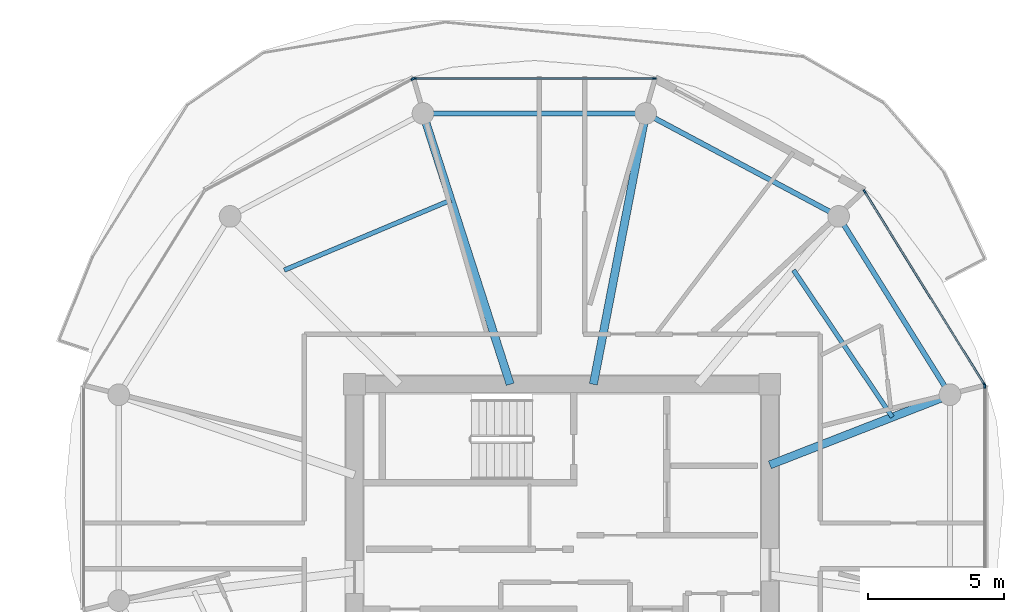
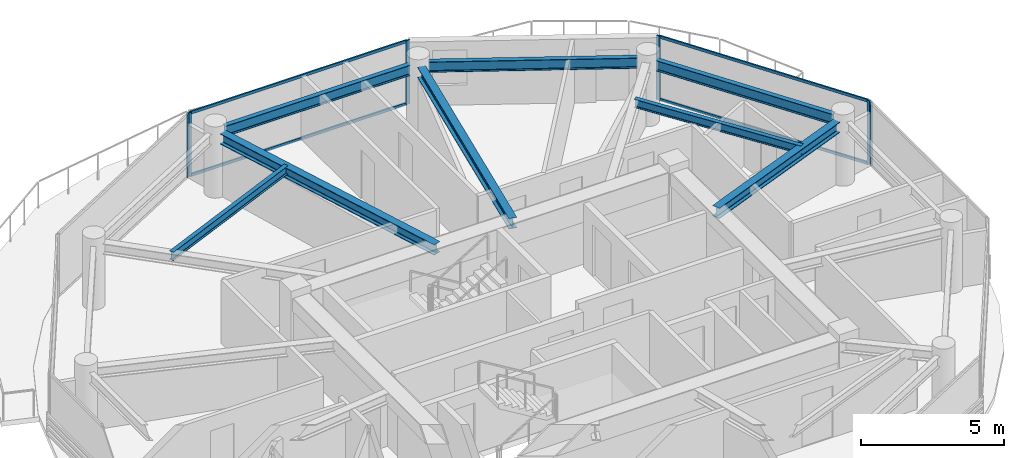
# One storey, part 10 of 22: 10 members, 8 beams, 4 elements without a shape of their own.
"""IFC4 building model written with IfcOpenShell, lengths in metres."""

from ifc_helpers import new_model, si_unit, direction, frame, origin, origin_2d, place, context, subcontext, project, spatial, rectangle, i_section, extrude, source, transform, mapped, material, layer, layer_set, material_profile, profile_set, type_object, type_shapes, element, aggregate, save


model = new_model("IFC4")

# Units and contexts
model_context = context("Model", 3, precision=1e-05, world=origin(), true_north=direction((0.0, 1.0)))
body_context = subcontext(model_context, "Body", "Model", "MODEL_VIEW")
ifc_project = project(units=[si_unit("LENGTHUNIT", "METRE"), si_unit("AREAUNIT", "SQUARE_METRE"), si_unit("VOLUMEUNIT", "CUBIC_METRE"), si_unit("PLANEANGLEUNIT", "RADIAN"), si_unit("MASSUNIT", "GRAM", prefix="KILO")], contexts=[model_context])

# Site, building, storey
site_placement = place(None, origin())
site = spatial("IfcSite", under=ifc_project, at=site_placement, CompositionType="ELEMENT")
building_placement = place(site_placement, origin())
building = spatial("IfcBuilding", under=site, at=building_placement, Name="Norrkilde Senior Care Towers", CompositionType="ELEMENT")
storey_placement = place(building_placement, frame((0.0, 0.0, 183.10009765625)))
storey = spatial("IfcBuildingStorey", under=building, at=storey_placement, Name="L57", CompositionType="ELEMENT", Elevation=183.10009765625)

# Beams
ifc_material_1 = material(Name="Steel S355", Category="steel")
ifc_material_profile_1 = material_profile(ifc_material_1, i_section(OverallWidth=0.18994140625, OverallDepth=0.449951171875, WebThickness=0.009521484375, FlangeThickness=0.0146484375, FilletRadius=0.02099609375, at=origin_2d()), Name="IPE 450")
ifc_profile_set_1 = profile_set([ifc_material_profile_1], Name="Steel S355")
beam_type_1 = type_object("IfcBeamType", Name="Perimeter Ring Spandrel Z3 IPE450", PredefinedType="SPANDREL", material=ifc_profile_set_1)
shared_shape_1 = source(origin(), body_context, "Body", "SweptSolid", [
    extrude(i_section(OverallWidth=0.18994140625, OverallDepth=0.449951171875, WebThickness=0.009521484375, FlangeThickness=0.0146484375, FilletRadius=0.02099609375, at=origin_2d()), origin(), (0.0, 0.0, 1.0), 7.0234375),
])
beam_1_placement = place(storey_placement, frame((42.09423828125, 5.872314453125, 2.5048828125), z_axis=(-0.529789577822, 0.848129119433, 0.0), x_axis=(-0.848129119433, -0.529789577822, 0.0)))
element("IfcBeam", 1, at=beam_1_placement, inside=storey, type_object=beam_type_1, Name="L57 Drum E Perimeter Spandrel 01", PredefinedType="SPANDREL", context=body_context, shape_type="MappedRepresentation", body=[
    mapped(shared_shape_1, transform((0.0, 0.0, 0.0), x_axis=(1.0, 0.0, 0.0), y_axis=(0.0, 1.0, 0.0), z_axis=(0.0, 0.0, 1.0), scale=1.0)),
])
shared_shape_2 = source(origin(), body_context, "Body", "SweptSolid", [
    extrude(i_section(OverallWidth=0.18994140625, OverallDepth=0.449951171875, WebThickness=0.009521484375, FlangeThickness=0.0146484375, FilletRadius=0.02099609375, at=origin_2d()), origin(), (0.0, 0.0, 1.0), 7.333740234375),
])
beam_2_placement = place(storey_placement, frame((37.864990234375, 12.303955078125, 2.5048828125), z_axis=(-0.882247866069, 0.470785198172, 0.0), x_axis=(-0.470785198172, -0.882247866069, 0.0)))
element("IfcBeam", 2, at=beam_2_placement, inside=storey, type_object=beam_type_1, Name="L57 Drum E Perimeter Spandrel 02", PredefinedType="SPANDREL", context=body_context, shape_type="MappedRepresentation", body=[
    mapped(shared_shape_2, transform((0.0, 0.0, 0.0), x_axis=(1.0, 0.0, 0.0), y_axis=(0.0, 1.0, 0.0), z_axis=(0.0, 0.0, 1.0), scale=1.0)),
])
shared_shape_3 = source(origin(), body_context, "Body", "SweptSolid", [
    extrude(i_section(OverallWidth=0.18994140625, OverallDepth=0.449951171875, WebThickness=0.009521484375, FlangeThickness=0.0146484375, FilletRadius=0.02099609375, at=origin_2d()), origin(), (0.0, 0.0, 1.0), 7.484619140625),
])
type_shapes(beam_type_1, [shared_shape_1, shared_shape_2, shared_shape_3])
beam_3_placement = place(storey_placement, frame((30.71728515625, 15.92626953125, 2.5048828125), z_axis=(-1.0, 0.0, 0.0), x_axis=(0.0, -1.0, 0.0)))
element("IfcBeam", 3, at=beam_3_placement, inside=storey, type_object=beam_type_1, Name="L57 Drum E Perimeter Spandrel 03", PredefinedType="SPANDREL", context=body_context, shape_type="MappedRepresentation", body=[
    mapped(shared_shape_3, transform((0.0, 0.0, 0.0), x_axis=(1.0, 0.0, 0.0), y_axis=(0.0, 1.0, 0.0), z_axis=(0.0, 0.0, 1.0), scale=1.0)),
])
ifc_material_profile_2 = material_profile(ifc_material_1, i_section(OverallWidth=0.300048828125, OverallDepth=0.449951171875, WebThickness=0.013916015625, FlangeThickness=0.02587890625, FilletRadius=0.027099609375, at=origin_2d()), Name="HEB 450")
ifc_profile_set_2 = profile_set([ifc_material_profile_2], Name="Steel S355")
beam_type_2 = type_object("IfcBeamType", Name="Radial Floor Beam Z3 HEB450", PredefinedType="BEAM", material=ifc_profile_set_2)
shared_shape_4 = source(origin(), body_context, "Body", "SweptSolid", [
    extrude(i_section(OverallWidth=0.300048828125, OverallDepth=0.449951171875, WebThickness=0.013916015625, FlangeThickness=0.02587890625, FilletRadius=0.027099609375, at=origin_2d()), origin(), (0.0, 0.0, 1.0), 10.120361328125),
])
beam_4_placement = place(storey_placement, frame((26.08447265625, 5.949951171875, 2.5048828125), z_axis=(-0.306440973744, 0.951889662519, 0.0), x_axis=(-0.951889662519, -0.306440973744, 0.0)))
element("IfcBeam", 4, at=beam_4_placement, inside=storey, type_object=beam_type_2, Name="L57 Drum E Radial Floor Beam 04", PredefinedType="BEAM", context=body_context, shape_type="MappedRepresentation", body=[
    mapped(shared_shape_4, transform((0.0, 0.0, 0.0), x_axis=(1.0, 0.0, 0.0), y_axis=(0.0, 1.0, 0.0), z_axis=(0.0, 0.0, 1.0), scale=1.0)),
])
shared_shape_5 = source(origin(), body_context, "Body", "SweptSolid", [
    extrude(i_section(OverallWidth=0.300048828125, OverallDepth=0.449951171875, WebThickness=0.013916015625, FlangeThickness=0.02587890625, FilletRadius=0.027099609375, at=origin_2d()), origin(), (0.0, 0.0, 1.0), 9.80078125),
])
beam_5_placement = place(storey_placement, frame((29.149658203125, 5.949951171875, 2.5048828125), z_axis=(0.189716727661, 0.98183886827, 0.0), x_axis=(-0.98183886827, 0.189716727661, 0.0)))
element("IfcBeam", 5, at=beam_5_placement, inside=storey, type_object=beam_type_2, Name="L57 Drum E Radial Floor Beam 03", PredefinedType="BEAM", context=body_context, shape_type="MappedRepresentation", body=[
    mapped(shared_shape_5, transform((0.0, 0.0, 0.0), x_axis=(1.0, 0.0, 0.0), y_axis=(0.0, 1.0, 0.0), z_axis=(0.0, 0.0, 1.0), scale=1.0)),
])
shared_shape_6 = source(origin(), body_context, "Body", "SweptSolid", [
    extrude(i_section(OverallWidth=0.300048828125, OverallDepth=0.449951171875, WebThickness=0.013916015625, FlangeThickness=0.02587890625, FilletRadius=0.027099609375, at=origin_2d()), origin(), (0.0, 0.0, 1.0), 6.760986328125),
])
type_shapes(beam_type_2, [shared_shape_4, shared_shape_5, shared_shape_6])
beam_6_placement = place(storey_placement, frame((35.64990234375, 2.981201171875, 2.5048828125), z_axis=(0.931742171387, 0.363120539297, 0.0), x_axis=(-0.363120539297, 0.931742171387, 0.0)))
element("IfcBeam", 6, at=beam_6_placement, inside=storey, type_object=beam_type_2, Name="L57 Drum E Radial Floor Beam 01", PredefinedType="BEAM", context=body_context, shape_type="MappedRepresentation", body=[
    mapped(shared_shape_6, transform((0.0, 0.0, 0.0), x_axis=(1.0, 0.0, 0.0), y_axis=(0.0, 1.0, 0.0), z_axis=(0.0, 0.0, 1.0), scale=1.0)),
])
ifc_material_profile_3 = material_profile(ifc_material_1, i_section(OverallWidth=0.169921875, OverallDepth=0.360107421875, WebThickness=0.008056640625, FlangeThickness=0.0126953125, FilletRadius=0.01806640625, at=origin_2d()), Name="IPE 360")
ifc_profile_set_3 = profile_set([ifc_material_profile_3], Name="Steel S355")
beam_type_3 = type_object("IfcBeamType", Name="Secondary Floor Joist IPE360", PredefinedType="JOIST", material=ifc_profile_set_3)
shared_shape_7 = source(origin(), body_context, "Body", "SweptSolid", [
    extrude(i_section(OverallWidth=0.169921875, OverallDepth=0.360107421875, WebThickness=0.008056640625, FlangeThickness=0.0126953125, FilletRadius=0.01806640625, at=origin_2d()), origin(), (0.0, 0.0, 1.0), 6.657470703125),
])
beam_7_placement = place(storey_placement, frame((23.900390625, 12.73388671875, 2.5498046875), z_axis=(-0.921958799252, -0.387287971, 0.0), x_axis=(0.387287971, -0.921958799252, 0.0)))
element("IfcBeam", 7, at=beam_7_placement, inside=storey, type_object=beam_type_3, Name="L57 Drum E Secondary Floor Joist 2", PredefinedType="JOIST", context=body_context, shape_type="MappedRepresentation", body=[
    mapped(shared_shape_7, transform((0.0, 0.0, 0.0), x_axis=(1.0, 0.0, 0.0), y_axis=(0.0, 1.0, 0.0), z_axis=(0.0, 0.0, 1.0), scale=1.0)),
])
shared_shape_8 = source(origin(), body_context, "Body", "SweptSolid", [
    extrude(i_section(OverallWidth=0.169921875, OverallDepth=0.360107421875, WebThickness=0.008056640625, FlangeThickness=0.0126953125, FilletRadius=0.01806640625, at=origin_2d()), origin(), (0.0, 0.0, 1.0), 6.525390625),
])
type_shapes(beam_type_3, [shared_shape_7, shared_shape_8])
beam_8_placement = place(storey_placement, frame((40.161865234375, 4.739501953125, 2.5498046875), z_axis=(-0.55779590102, 0.829978152005, 0.0), x_axis=(-0.829978152005, -0.55779590102, 0.0)))
element("IfcBeam", 8, at=beam_8_placement, inside=storey, type_object=beam_type_3, Name="L57 Drum E Secondary Floor Joist 1", PredefinedType="JOIST", context=body_context, shape_type="MappedRepresentation", body=[
    mapped(shared_shape_8, transform((0.0, 0.0, 0.0), x_axis=(1.0, 0.0, 0.0), y_axis=(0.0, 1.0, 0.0), z_axis=(0.0, 0.0, 1.0), scale=1.0)),
])

# Curtain wall, members
ifc_material_2 = material(Name="Triple Low-E Insulated Glazing", Category="glass")
ifc_layer = layer(ifc_material_2, 0.18994140625)
ifc_layer_set = layer_set([ifc_layer], Name="Triple Low-E Insulated Glazing")
curtain_wall_type = type_object("IfcCurtainWallType", Name="CW4 Zone 3 Senior Residence Curtain Wall", PredefinedType="NOTDEFINED", material=ifc_layer_set)
curtain_wall_1_placement = place(storey_placement, origin())
curtain_wall_1 = element("IfcCurtainWall", 9, at=curtain_wall_1_placement, inside=storey, type_object=curtain_wall_type, Name="L57 Drum E Curtain Wall 00", PredefinedType="NOTDEFINED")
ifc_material_3 = material(Name="Anodised Aluminium", Category="aluminium")
ifc_material_profile_4 = material_profile(ifc_material_3, rectangle(XDim=0.06005859375, YDim=0.1201171875, at=origin_2d()), Name="ALU TRAN 60x120")
ifc_profile_set_4 = profile_set([ifc_material_profile_4], Name="Anodised Aluminium")
member_type_1 = type_object("IfcMemberType", Name="Curtain Wall Transom Typical 60x120", PredefinedType="USERDEFINED", material=ifc_profile_set_4)
shared_shape_9 = source(origin(), body_context, "Body", "SweptSolid", [
    extrude(rectangle(XDim=0.06005859375, YDim=0.1201171875, at=origin_2d()), origin(), (0.0, 0.0, 1.0), 8.301513671875),
])
member_1_placement = place(storey_placement, frame((39.157470703125, 13.019775390625, 0.02978515625), z_axis=(0.527368718394, -0.849636531029, 0.0), x_axis=(0.849636531029, 0.527368718394, 0.0)))
member_1 = element("IfcMember", 10, at=member_1_placement, type_object=member_type_1, Name="CW-4 transom 1.1", ObjectType="TRANSOM", PredefinedType="USERDEFINED", context=body_context, shape_type="MappedRepresentation", body=[
    mapped(shared_shape_9, transform((0.0, 0.0, 0.0), x_axis=(1.0, 0.0, 0.0), y_axis=(0.0, 1.0, 0.0), z_axis=(0.0, 0.0, 1.0), scale=1.0)),
])
member_2_placement = place(storey_placement, frame((39.157470703125, 13.019775390625, 2.699951171875), z_axis=(0.527368718394, -0.849636531029, 0.0), x_axis=(0.849636531029, 0.527368718394, 0.0)))
member_2 = element("IfcMember", 11, at=member_2_placement, type_object=member_type_1, Name="CW-4 transom 1.2", ObjectType="TRANSOM", PredefinedType="USERDEFINED", context=body_context, shape_type="MappedRepresentation", body=[
    mapped(shared_shape_9, transform((0.0, 0.0, 0.0), x_axis=(1.0, 0.0, 0.0), y_axis=(0.0, 1.0, 0.0), z_axis=(0.0, 0.0, 1.0), scale=1.0)),
])

curtain_wall_2_placement = place(storey_placement, origin())
curtain_wall_2 = element("IfcCurtainWall", 12, at=curtain_wall_2_placement, inside=storey, type_object=curtain_wall_type, Name="L57 Drum E Curtain Wall 02", PredefinedType="NOTDEFINED")
shared_shape_10 = source(origin(), body_context, "Body", "SweptSolid", [
    extrude(rectangle(XDim=0.06005859375, YDim=0.1201171875, at=origin_2d()), origin(), (0.0, 0.0, 1.0), 8.762939453125),
])
type_shapes(member_type_1, [shared_shape_9, shared_shape_10])
member_3_placement = place(storey_placement, frame((22.593505859375, 17.2109375, 0.02978515625), z_axis=(1.0, 0.0, 0.0), x_axis=(0.0, 1.0, 0.0)))
member_3 = element("IfcMember", 13, at=member_3_placement, type_object=member_type_1, Name="CW-4 transom 1.1", ObjectType="TRANSOM", PredefinedType="USERDEFINED", context=body_context, shape_type="MappedRepresentation", body=[
    mapped(shared_shape_10, transform((0.0, 0.0, 0.0), x_axis=(1.0, 0.0, 0.0), y_axis=(0.0, 1.0, 0.0), z_axis=(0.0, 0.0, 1.0), scale=1.0)),
])
member_4_placement = place(storey_placement, frame((22.593505859375, 17.2109375, 2.699951171875), z_axis=(1.0, 0.0, 0.0), x_axis=(0.0, 1.0, 0.0)))
member_4 = element("IfcMember", 14, at=member_4_placement, type_object=member_type_1, Name="CW-4 transom 1.2", ObjectType="TRANSOM", PredefinedType="USERDEFINED", context=body_context, shape_type="MappedRepresentation", body=[
    mapped(shared_shape_10, transform((0.0, 0.0, 0.0), x_axis=(1.0, 0.0, 0.0), y_axis=(0.0, 1.0, 0.0), z_axis=(0.0, 0.0, 1.0), scale=1.0)),
])

# Member
ifc_material_profile_5 = material_profile(ifc_material_3, rectangle(XDim=0.06494140625, YDim=0.14990234375, at=origin_2d()), Name="ALU MULL 65x150")
ifc_profile_set_5 = profile_set([ifc_material_profile_5], Name="Anodised Aluminium")
member_type_2 = type_object("IfcMemberType", Name="Curtain Wall Mullion Z3-Z4 65x150", PredefinedType="MULLION", material=ifc_profile_set_5)
shared_shape_11 = source(origin(), body_context, "Body", "SweptSolid", [
    extrude(rectangle(XDim=0.06494140625, YDim=0.14990234375, at=origin_2d()), origin(), (0.0, 0.0, 1.0), 2.72998046875),
])
type_shapes(member_type_2, [shared_shape_11])
member_5_placement = place(storey_placement, frame((39.14013671875, 13.04736328125, 0.0), z_axis=(0.0, 0.0, 1.0), x_axis=(0.84963405474, 0.52737270789, 0.0)))
member_5 = element("IfcMember", 15, at=member_5_placement, type_object=member_type_2, Name="CW-4 mullion 1", PredefinedType="MULLION", context=body_context, shape_type="MappedRepresentation", body=[
    mapped(shared_shape_11, transform((0.0, 0.0, 0.0), x_axis=(1.0, 0.0, 0.0), y_axis=(0.0, 1.0, 0.0), z_axis=(0.0, 0.0, 1.0), scale=1.0)),
])

member_6_placement = place(storey_placement, frame((43.552490234375, 5.93896484375, 0.0), z_axis=(0.0, 0.0, 1.0), x_axis=(0.84963405474, 0.52737270789, 0.0)))
member_6 = element("IfcMember", 16, at=member_6_placement, type_object=member_type_2, Name="CW-4 mullion 2", PredefinedType="MULLION", context=body_context, shape_type="MappedRepresentation", body=[
    mapped(shared_shape_11, transform((0.0, 0.0, 0.0), x_axis=(1.0, 0.0, 0.0), y_axis=(0.0, 1.0, 0.0), z_axis=(0.0, 0.0, 1.0), scale=1.0)),
])

aggregate(curtain_wall_1, [member_5, member_6, member_1, member_2])

member_7_placement = place(storey_placement, frame((22.56103515625, 17.2109375, 0.0), z_axis=(0.0, 0.0, 1.0), x_axis=(0.0, 1.0, 0.0)))
member_7 = element("IfcMember", 17, at=member_7_placement, type_object=member_type_2, Name="CW-4 mullion 1", PredefinedType="MULLION", context=body_context, shape_type="MappedRepresentation", body=[
    mapped(shared_shape_11, transform((0.0, 0.0, 0.0), x_axis=(1.0, 0.0, 0.0), y_axis=(0.0, 1.0, 0.0), z_axis=(0.0, 0.0, 1.0), scale=1.0)),
])

member_8_placement = place(storey_placement, frame((31.388916015625, 17.2109375, 0.0), z_axis=(0.0, 0.0, 1.0), x_axis=(0.0, 1.0, 0.0)))
member_8 = element("IfcMember", 18, at=member_8_placement, type_object=member_type_2, Name="CW-4 mullion 2", PredefinedType="MULLION", context=body_context, shape_type="MappedRepresentation", body=[
    mapped(shared_shape_11, transform((0.0, 0.0, 0.0), x_axis=(1.0, 0.0, 0.0), y_axis=(0.0, 1.0, 0.0), z_axis=(0.0, 0.0, 1.0), scale=1.0)),
])

aggregate(curtain_wall_2, [member_7, member_8, member_3, member_4])

# Curtain wall, member
curtain_wall_3_placement = place(storey_placement, origin())
curtain_wall_3 = element("IfcCurtainWall", 19, at=curtain_wall_3_placement, inside=storey, type_object=curtain_wall_type, Name="L57 Drum E Curtain Wall 03", PredefinedType="NOTDEFINED")
member_9_placement = place(storey_placement, frame((22.499755859375, 17.195556640625, 0.0), z_axis=(0.0, 0.0, 1.0), x_axis=(-0.47311715104, 0.880999524059, 0.0)))
member_9 = element("IfcMember", 20, at=member_9_placement, type_object=member_type_2, Name="CW-4 mullion 2", PredefinedType="MULLION", context=body_context, shape_type="MappedRepresentation", body=[
    mapped(shared_shape_11, transform((0.0, 0.0, 0.0), x_axis=(1.0, 0.0, 0.0), y_axis=(0.0, 1.0, 0.0), z_axis=(0.0, 0.0, 1.0), scale=1.0)),
])
aggregate(curtain_wall_3, [member_9])

curtain_wall_4_placement = place(storey_placement, origin())
curtain_wall_4 = element("IfcCurtainWall", 21, at=curtain_wall_4_placement, inside=storey, type_object=curtain_wall_type, Name="L57 Drum E Curtain Wall 11", PredefinedType="NOTDEFINED")
member_10_placement = place(storey_placement, frame((43.569580078125, 5.878662109375, 0.0), z_axis=(0.0, 0.0, 1.0), x_axis=(1.0, 0.0, 0.0)))
member_10 = element("IfcMember", 22, at=member_10_placement, type_object=member_type_2, Name="CW-4 mullion 1", PredefinedType="MULLION", context=body_context, shape_type="MappedRepresentation", body=[
    mapped(shared_shape_11, transform((0.0, 0.0, 0.0), x_axis=(1.0, 0.0, 0.0), y_axis=(0.0, 1.0, 0.0), z_axis=(0.0, 0.0, 1.0), scale=1.0)),
])
aggregate(curtain_wall_4, [member_10])

save(model, "model.ifc")
